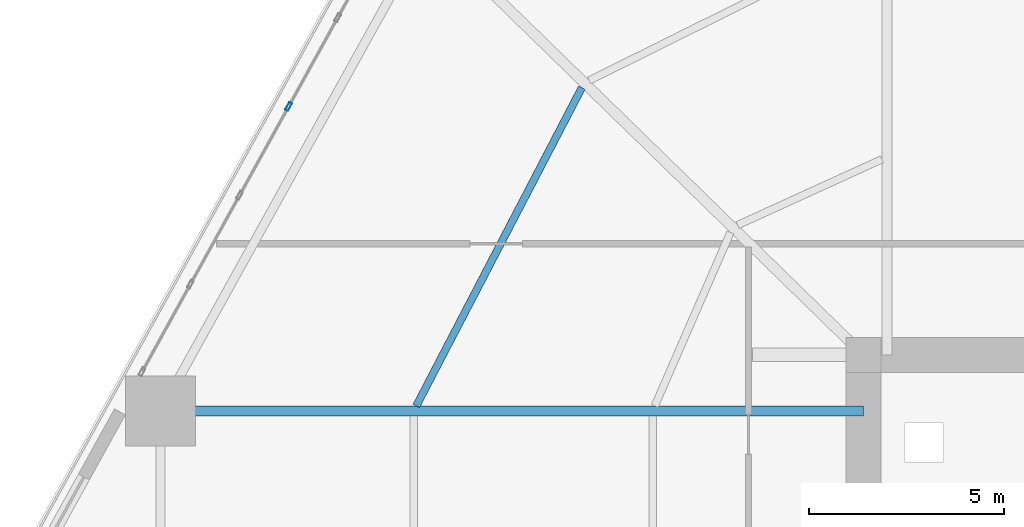
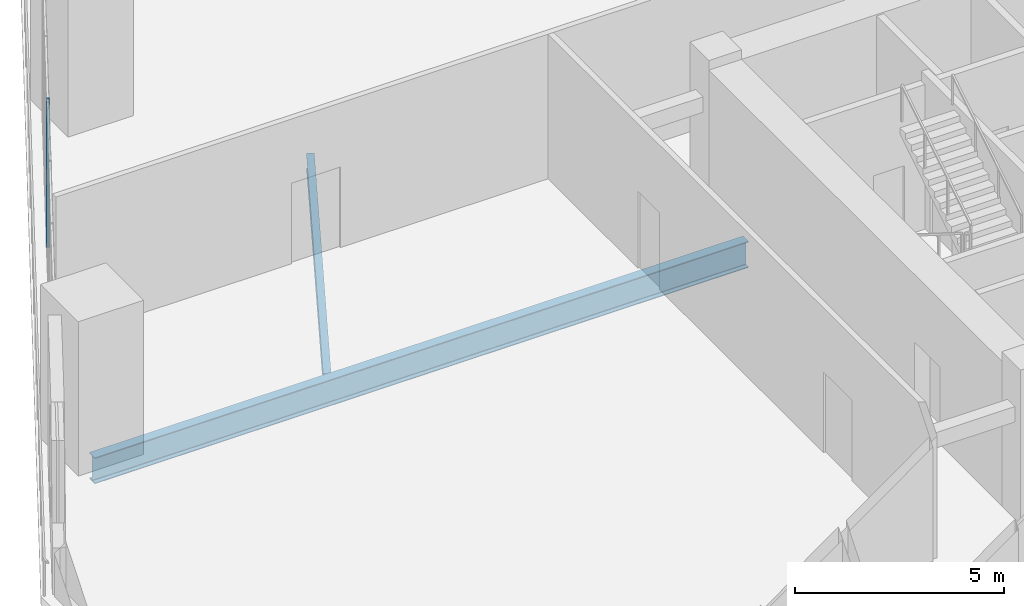
# One storey, part 6 of 18: 2 beams, 1 member, 1 element without a shape of its own.
"""IFC4 building model written with IfcOpenShell, lengths in metres."""

from ifc_helpers import new_model, si_unit, direction, frame, origin, origin_2d, place, context, subcontext, project, spatial, hollow_rectangle, i_section, extrude, material, layer, layer_set, material_profile, profile_set, type_object, element, aggregate, save


model = new_model("IFC4")

# Units and contexts
model_context = context("Model", 3, precision=1e-05, world=origin(), true_north=direction((0.0, 1.0)))
body_context = subcontext(model_context, "Body", "Model", "MODEL_VIEW")
ifc_project = project(units=[si_unit("LENGTHUNIT", "METRE"), si_unit("AREAUNIT", "SQUARE_METRE"), si_unit("VOLUMEUNIT", "CUBIC_METRE"), si_unit("PLANEANGLEUNIT", "RADIAN"), si_unit("MASSUNIT", "GRAM", prefix="KILO")], contexts=[model_context])

# Site, building, storey
site_placement = place(None, origin())
site = spatial("IfcSite", under=ifc_project, at=site_placement, CompositionType="ELEMENT")
building_placement = place(site_placement, origin())
building = spatial("IfcBuilding", under=site, at=building_placement, Name="Cinnabar Lancet Tower", CompositionType="ELEMENT")
storey_placement = place(building_placement, frame((0.0, 0.0, 15.0)))
storey = spatial("IfcBuildingStorey", under=building, at=storey_placement, Name="L03", CompositionType="ELEMENT", Elevation=15.0)

# Curtain wall, member
ifc_material_1 = material(Name="Thermally broken bronze-anodized aluminium and low-E glass", Category="aluminium")
ifc_layer = layer(ifc_material_1, 0.179931640625)
ifc_layer_set = layer_set([ifc_layer], Name="Thermally broken bronze-anodized aluminium and low-E glass")
curtain_wall_type = type_object("IfcCurtainWallType", Name="ENV-CW-SYS-02", PredefinedType="NOTDEFINED", material=ifc_layer_set)
curtain_wall_placement = place(storey_placement, origin())
curtain_wall = element("IfcCurtainWall", 1, at=curtain_wall_placement, inside=storey, type_object=curtain_wall_type, Name="L03 Face 5 Feature Curtain Wall", PredefinedType="NOTDEFINED")
ifc_material_2 = material(Name="Anodized architectural aluminium 6063-T6", Category="aluminium")
ifc_material_profile_1 = material_profile(ifc_material_2, hollow_rectangle(XDim=0.0849609375, YDim=0.219970703125, WallThickness=0.0048828125, InnerFilletRadius=0.00244140625, OuterFilletRadius=0.007568359375, at=origin_2d()), Name="CW-MUL 220x85x5")
ifc_profile_set_1 = profile_set([ifc_material_profile_1], Name="Anodized architectural aluminium 6063-T6")
member_type = type_object("IfcMemberType", Name="ENV-CW-MUL-220", PredefinedType="MULLION", material=ifc_profile_set_1)
member_placement = place(storey_placement, frame((8.196044921875, 39.7236328125, 0.0), z_axis=(0.0, 0.0, 1.0), x_axis=(0.875242391442, -0.48368456273, 0.0)))
member = element("IfcMember", 2, at=member_placement, type_object=member_type, Name="CW-02 mullion 3", PredefinedType="MULLION", context=body_context, shape_type="SweptSolid", body=[
    extrude(hollow_rectangle(XDim=0.0849609375, YDim=0.219970703125, WallThickness=0.0048828125, InnerFilletRadius=0.00244140625, OuterFilletRadius=0.007568359375, at=origin_2d()), origin(), (0.0, 0.0, 1.0), 4.219970703125),
])
aggregate(curtain_wall, [member])

# Beams
ifc_material_3 = material(Name="Structural steel S355", Category="steel")
ifc_material_profile_2 = material_profile(ifc_material_3, i_section(OverallWidth=0.1904296875, OverallDepth=0.45703125, WebThickness=0.009033203125, FlangeThickness=0.014404296875, FilletRadius=0.01025390625, at=origin_2d()), Name="UKB 457x191x74")
ifc_profile_set_2 = profile_set([ifc_material_profile_2], Name="Structural steel S355")
beam_type_1 = type_object("IfcBeamType", Name="STR-BM-JST-457", PredefinedType="JOIST", material=ifc_profile_set_2)
beam_1_placement = place(storey_placement, frame((15.721923828125, 40.2060546875, -0.47900390625), z_axis=(-0.461626641841, -0.887074316809, 0.0), x_axis=(0.887074316809, -0.461626641841, 0.0)))
element("IfcBeam", 3, at=beam_1_placement, inside=storey, type_object=beam_type_1, Name="L03 Secondary Floor Joist 9", PredefinedType="JOIST", context=body_context, shape_type="SweptSolid", body=[
    extrude(i_section(OverallWidth=0.1904296875, OverallDepth=0.45703125, WebThickness=0.009033203125, FlangeThickness=0.014404296875, FilletRadius=0.01025390625, at=origin_2d()), origin(), (0.0, 0.0, 1.0), 9.204345703125),
])
ifc_material_4 = material(Name="Structural steel S355", Category="steel")
ifc_material_profile_3 = material_profile(ifc_material_4, i_section(OverallWidth=0.2666015625, OverallDepth=0.76220703125, WebThickness=0.014404296875, FlangeThickness=0.021484375, FilletRadius=0.0166015625, at=origin_2d()), Name="UKB 762x267x173")
ifc_profile_set_3 = profile_set([ifc_material_profile_3], Name="Structural steel S355")
beam_type_2 = type_object("IfcBeamType", Name="STR-BM-UKB762-173", PredefinedType="BEAM", material=ifc_profile_set_3)
beam_2_placement = place(storey_placement, frame((4.908935546875, 31.907958984375, -0.631103515625), z_axis=(1.0, 0.0, 0.0), x_axis=(0.0, 1.0, 0.0)))
element("IfcBeam", 4, at=beam_2_placement, inside=storey, type_object=beam_type_2, Name="L03 Primary Floor Girder 10", PredefinedType="BEAM", context=body_context, shape_type="SweptSolid", body=[
    extrude(i_section(OverallWidth=0.2666015625, OverallDepth=0.76220703125, WebThickness=0.014404296875, FlangeThickness=0.021484375, FilletRadius=0.0166015625, at=origin_2d()), origin(), (0.0, 0.0, 1.0), 18.041015625),
])

save(model, "model.ifc")
